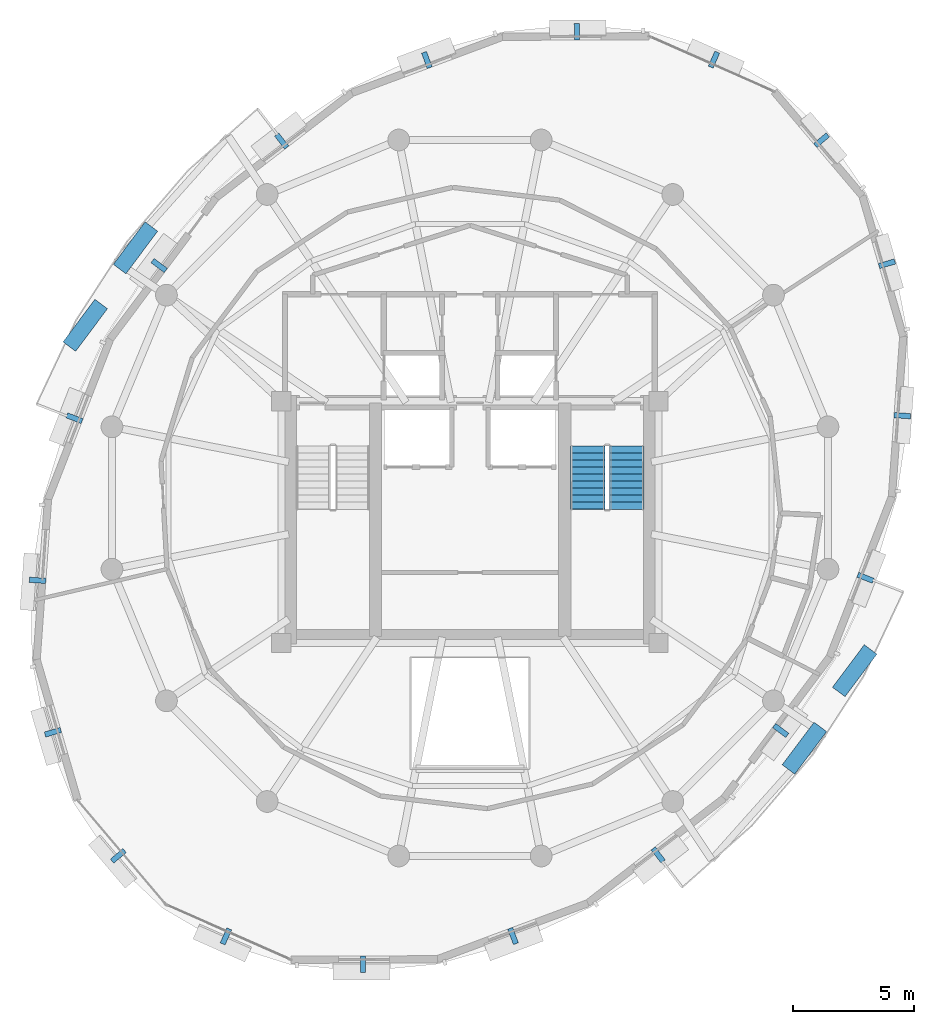
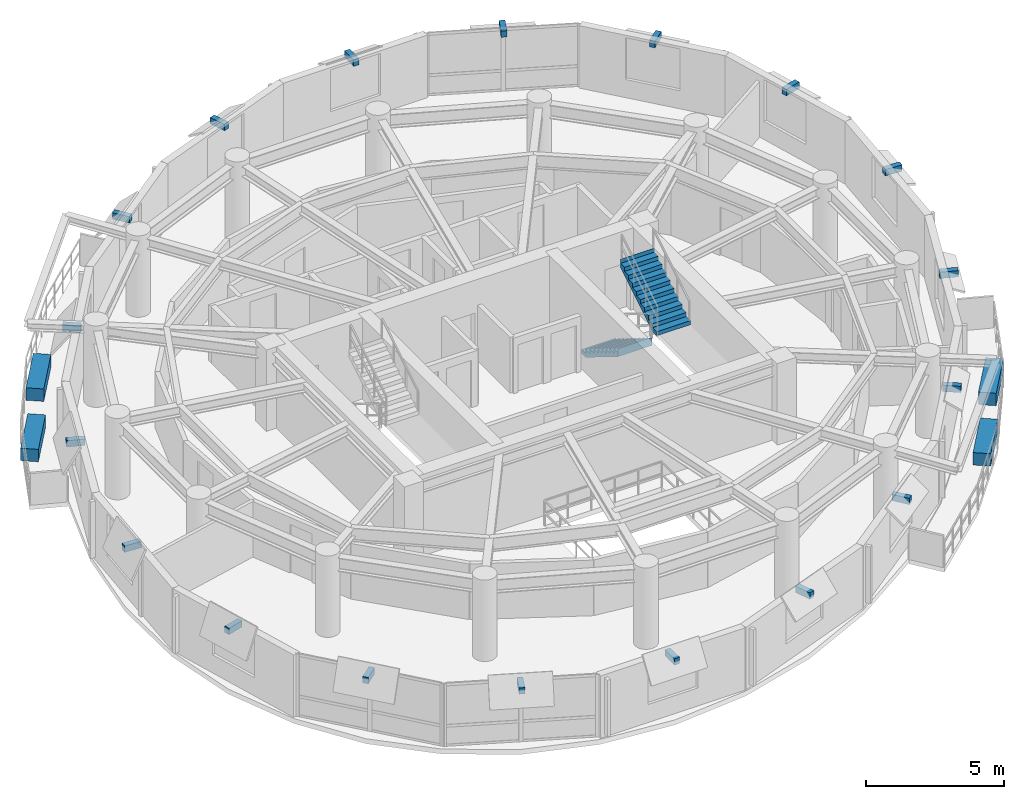
# One storey, part 9 of 11: 22 discrete accessories, 2 stair flights, 1 element without a shape of its own.
"""IFC4 building model written with IfcOpenShell, lengths in metres."""

from ifc_helpers import new_model, si_unit, direction, frame, origin, origin_2d, place, context, subcontext, project, spatial, polyline, rectangle, outline, extrude, material, type_object, element, aggregate, save


model = new_model("IFC4")

# Units and contexts
model_context = context("Model", 3, precision=1e-05, world=origin(), true_north=direction((0.0, 1.0)))
body_context = subcontext(model_context, "Body", "Model", "MODEL_VIEW")
ifc_project = project(units=[si_unit("LENGTHUNIT", "METRE"), si_unit("AREAUNIT", "SQUARE_METRE"), si_unit("VOLUMEUNIT", "CUBIC_METRE"), si_unit("PLANEANGLEUNIT", "RADIAN"), si_unit("MASSUNIT", "GRAM", prefix="KILO"), si_unit("THERMODYNAMICTEMPERATUREUNIT", "KELVIN"), si_unit("POWERUNIT", "WATT")], contexts=[model_context])

# Site, building, storey
site_placement = place(None, origin())
site = spatial("IfcSite", under=ifc_project, at=site_placement, CompositionType="ELEMENT")
building_placement = place(site_placement, origin())
building = spatial("IfcBuilding", under=site, at=building_placement, Name="Ocrelia Relay Tower", CompositionType="ELEMENT")
storey_placement = place(building_placement, frame((0.0, 0.0, 252.0)))
storey = spatial("IfcBuildingStorey", under=building, at=storey_placement, Name="L62", CompositionType="ELEMENT", Elevation=252.0)

# Stair, stair flights
ifc_material_1 = material(Name="Concrete C50/60", Category="concrete")
stair_type = type_object("IfcStairType", Name="ST-DL-1420-R180", PredefinedType="HALF_TURN_STAIR", material=ifc_material_1)
stair_placement = place(storey_placement, origin())
stair = element("IfcStair", 1, at=stair_placement, inside=storey, type_object=stair_type, Name="L62 East Core Exit Stair ST2", PredefinedType="HALF_TURN_STAIR")
stair_flight_type = type_object("IfcStairFlightType", Name="STF-DL-1420-R180", PredefinedType="STRAIGHT", material=ifc_material_1)
stair_flight_1_placement = place(storey_placement, frame((38.8701171875, 28.14990234375, 0.0), z_axis=(0.0, 0.0, 1.0), x_axis=(0.0, -1.0, 0.0)))
stair_flight_1 = element("IfcStairFlight", 2, at=stair_flight_1_placement, type_object=stair_flight_type, Name="ST2 flight 1", NumberOfRisers=10, NumberOfTreads=9, PredefinedType="STRAIGHT", RiserHeight=0.18, TreadLength=0.29, context=body_context, shape_type="SweptSolid", body=[
    extrude(outline(polyline([(-0.008056640625, 0.0), (-0.008056640625, 0.179931640625), (0.0, 0.179931640625), (0.2900390625, 0.179931640625), (0.2900390625, 0.360107421875), (0.580078125, 0.360107421875), (0.580078125, 0.5400390625), (0.8701171875, 0.5400390625), (0.8701171875, 0.719970703125), (1.159912109375, 0.719970703125), (1.159912109375, 0.89990234375), (1.449951171875, 0.89990234375), (1.449951171875, 1.080078125), (1.739990234375, 1.080078125), (1.739990234375, 1.260009765625), (2.030029296875, 1.260009765625), (2.030029296875, 1.43994140625), (2.320068359375, 1.43994140625), (2.320068359375, 1.6201171875), (2.610107421875, 1.6201171875), (2.610107421875, 1.800048828125), (2.617919921875, 1.800048828125), (2.617919921875, 1.443603515625), (0.2841796875, 0.0), (-0.008056640625, 0.0)])), frame((0.0, 0.7099609375, 0.0), z_axis=(0.0, -1.0, 0.0), x_axis=(1.0, 0.0, 0.0)), (0.0, 0.0, 1.0), 1.419921875),
])
stair_flight_2_placement = place(storey_placement, frame((40.489990234375, 25.5400390625, 1.800048828125), z_axis=(0.0, 0.0, 1.0), x_axis=(0.0, 1.0, 0.0)))
stair_flight_2 = element("IfcStairFlight", 3, at=stair_flight_2_placement, type_object=stair_flight_type, Name="ST2 flight 2", NumberOfRisers=10, NumberOfTreads=9, PredefinedType="STRAIGHT", RiserHeight=0.18, TreadLength=0.29, context=body_context, shape_type="SweptSolid", body=[
    extrude(outline(polyline([(-0.008056640625, 0.0), (-0.008056640625, 0.179931640625), (0.0, 0.179931640625), (0.2900390625, 0.179931640625), (0.2900390625, 0.360107421875), (0.580078125, 0.360107421875), (0.580078125, 0.5400390625), (0.8701171875, 0.5400390625), (0.8701171875, 0.719970703125), (1.159912109375, 0.719970703125), (1.159912109375, 0.89990234375), (1.449951171875, 0.89990234375), (1.449951171875, 1.080078125), (1.739990234375, 1.080078125), (1.739990234375, 1.260009765625), (2.030029296875, 1.260009765625), (2.030029296875, 1.43994140625), (2.320068359375, 1.43994140625), (2.320068359375, 1.6201171875), (2.610107421875, 1.6201171875), (2.610107421875, 1.800048828125), (2.617919921875, 1.800048828125), (2.617919921875, 1.443603515625), (0.2841796875, 0.0), (-0.008056640625, 0.0)])), frame((0.0, 0.7099609375, 0.0), z_axis=(0.0, -1.0, 0.0), x_axis=(1.0, 0.0, 0.0)), (0.0, 0.0, 1.0), 1.419921875),
])
aggregate(stair, [stair_flight_1, stair_flight_2])

# Discrete accessories
ifc_material_2 = material(Name="Precast concrete C40/50 planter with highland greenery", Category="concrete")
discrete_accessory_type_1 = type_object("IfcDiscreteAccessoryType", Name="ACC-BALC-PLANTER", PredefinedType="USERDEFINED", material=ifc_material_2)
for number, where, z_axis, x_axis, name in (
    (4, (20.16552734375, 36.349609375, 0.0), (0.0, 0.0, 1.0), (0.599022568221, 0.800732141707, 0.0), "L62 Balcony Terracotta Planter with Greenery B1"),
    (5, (18.086669921875, 33.142578125, 0.0), (0.0, 0.0, 1.0), (0.599022568221, 0.800732141707, 0.0), "L62 Balcony Terracotta Planter B1-2"),
    (6, (47.83447265625, 15.650390625, 0.0), (0.0, 0.0, 1.0), (-0.599022568221, -0.800732141707, 0.0), "L62 Balcony Terracotta Planter with Greenery B2"),
    (7, (49.913330078125, 18.857421875, 0.0), (0.0, 0.0, 1.0), (-0.599022568221, -0.800732141707, 0.0), "L62 Balcony Terracotta Planter B2-2"),
):
    element("IfcDiscreteAccessory", number, at=place(storey_placement, frame(where, z_axis=z_axis, x_axis=x_axis)), inside=storey, type_object=discrete_accessory_type_1, Name=name, ObjectType="PLANTER", PredefinedType="USERDEFINED", context=body_context, shape_type="SweptSolid", body=[
        extrude(rectangle(XDim=2.199951171875, YDim=0.64990234375, at=origin_2d()), origin(), (0.0, 0.0, 1.0), 0.550048828125),
    ])
ifc_material_3 = material(Name="Steel S355", Category="steel")
discrete_accessory_type_2 = type_object("IfcDiscreteAccessoryType", Name="ACC-VISOR-BRACKET", PredefinedType="BRACKET", material=ifc_material_3)
for number, where, z_axis, x_axis, name in (
    (8, (44.0927734375, 44.13232421875, 2.4599609375), (0.0, 0.0, 1.0), (-0.914627100885, 0.404298486673, 0.0), "L62 Visor Mounting Bracket 01"),
    (9, (38.42529296875, 45.28515625, 2.4599609375), (0.0, 0.0, 1.0), (-0.999994931516, -0.003183856636, 0.0), "L62 Visor Mounting Bracket 02"),
    (10, (32.218017578125, 44.119140625, 2.4599609375), (0.0, 0.0, 1.0), (-0.937003588923, -0.349319730826, 0.0), "L62 Visor Mounting Bracket 03"),
    (11, (26.21337890625, 40.765625, 2.4599609375), (0.0, 0.0, 1.0), (-0.792192230604, -0.610271636052, 0.0), "L62 Visor Mounting Bracket 04"),
    (12, (21.14404296875, 35.61767578125, 2.4599609375), (0.0, 0.0, 1.0), (-0.599023302125, -0.800731592677, 0.0), "L62 Visor Mounting Bracket 05"),
    (13, (17.63671875, 29.30078125, 2.4599609375), (0.0, 0.0, 1.0), (-0.361772688722, -0.932266336244, 0.0), "L62 Visor Mounting Bracket 06"),
    (14, (16.11474609375, 22.59375, 2.4599609375), (0.0, 0.0, 1.0), (-0.070553826579, -0.99750797368, 0.0), "L62 Visor Mounting Bracket 07"),
    (15, (16.7490234375, 16.309814453125, 2.4599609375), (0.0, 0.0, 1.0), (0.279289166146, -0.960207041046, 0.0), "L62 Visor Mounting Bracket 08"),
    (16, (19.455078125, 11.1982421875, 2.4599609375), (0.0, 0.0, 1.0), (0.646085828535, -0.763264765443, 0.0), "L62 Visor Mounting Bracket 09"),
    (17, (23.9072265625, 7.86767578125, 2.4599609375), (0.0, 0.0, 1.0), (0.914627100885, -0.404298486673, 0.0), "L62 Visor Mounting Bracket 10"),
    (18, (29.57470703125, 6.71484375, 2.4599609375), (0.0, 0.0, 1.0), (0.999994931516, 0.003183856636, 0.0), "L62 Visor Mounting Bracket 11"),
    (19, (35.781982421875, 7.880859375, 2.4599609375), (0.0, 0.0, 1.0), (0.937003588923, 0.349319730826, 0.0), "L62 Visor Mounting Bracket 12"),
    (20, (41.78662109375, 11.234375, 2.4599609375), (0.0, 0.0, 1.0), (0.792192230604, 0.610271636052, 0.0), "L62 Visor Mounting Bracket 13"),
    (21, (46.85595703125, 16.38232421875, 2.4599609375), (0.0, 0.0, 1.0), (0.599023302125, 0.800731592677, 0.0), "L62 Visor Mounting Bracket 14"),
    (22, (50.36328125, 22.69921875, 2.4599609375), (0.0, 0.0, 1.0), (0.361772688722, 0.932266336244, 0.0), "L62 Visor Mounting Bracket 15"),
    (23, (51.88525390625, 29.40625, 2.4599609375), (0.0, 0.0, 1.0), (0.070553826579, 0.99750797368, 0.0), "L62 Visor Mounting Bracket 16"),
    (24, (51.2509765625, 35.690185546875, 2.4599609375), (0.0, 0.0, 1.0), (-0.279289166146, 0.960207041046, 0.0), "L62 Visor Mounting Bracket 17"),
    (25, (48.544921875, 40.8017578125, 2.4599609375), (0.0, 0.0, 1.0), (-0.646085828535, 0.763264765443, 0.0), "L62 Visor Mounting Bracket 18"),
):
    element("IfcDiscreteAccessory", number, at=place(storey_placement, frame(where, z_axis=z_axis, x_axis=x_axis)), inside=storey, type_object=discrete_accessory_type_2, Name=name, PredefinedType="BRACKET", context=body_context, shape_type="SweptSolid", body=[
        extrude(rectangle(XDim=0.219970703125, YDim=0.679931640625, at=origin_2d()), origin(), (0.0, 0.0, 1.0), 0.280029296875),
    ])

save(model, "model.ifc")
